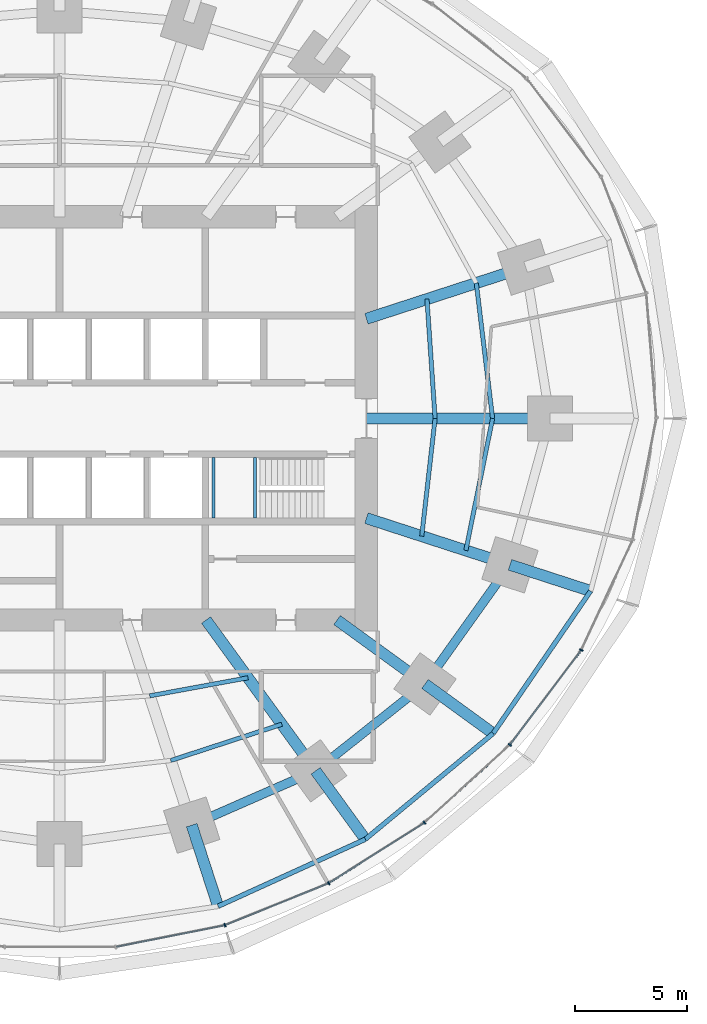
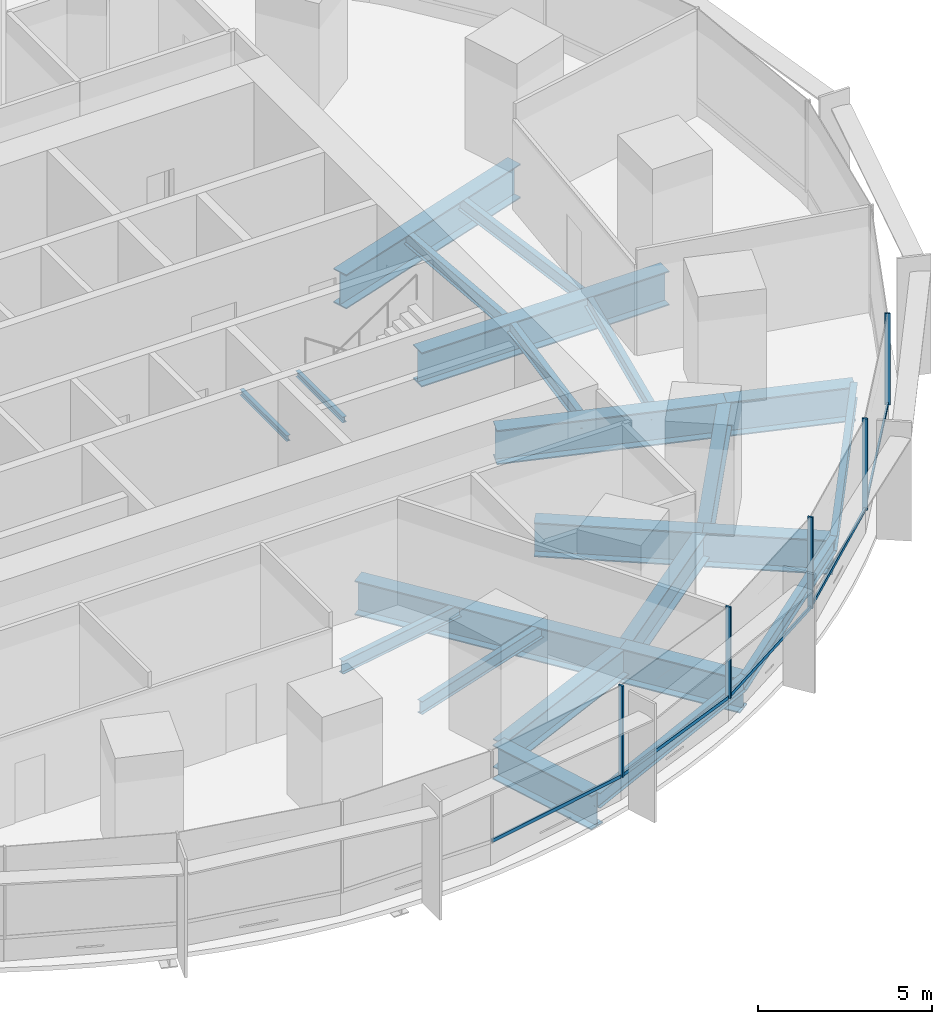
# One storey, part 5 of 15: 23 beams, 10 members, 2 elements without a shape of their own.
"""IFC4 building model written with IfcOpenShell, lengths in metres."""

from ifc_helpers import new_model, si_unit, direction, frame, origin, origin_2d, place, context, subcontext, project, spatial, rectangle, i_section, extrude, material, material_profile, profile_set, type_object, element, aggregate, save


model = new_model("IFC4")

# Units and contexts
model_context = context("Model", 3, precision=1e-05, world=origin(), true_north=direction((0.0, 1.0)))
body_context = subcontext(model_context, "Body", "Model", "MODEL_VIEW")
ifc_project = project(units=[si_unit("LENGTHUNIT", "METRE"), si_unit("AREAUNIT", "SQUARE_METRE"), si_unit("VOLUMEUNIT", "CUBIC_METRE"), si_unit("PLANEANGLEUNIT", "RADIAN"), si_unit("MASSUNIT", "GRAM", prefix="KILO")], contexts=[model_context])

# Site, building, storey
site_placement = place(None, origin())
site = spatial("IfcSite", under=ifc_project, at=site_placement, CompositionType="ELEMENT")
building_placement = place(site_placement, origin())
building = spatial("IfcBuilding", under=site, at=building_placement, Name="Marramba Exchange Tower", CompositionType="ELEMENT")
storey_placement = place(building_placement, frame((0.0, 0.0, 82.60009765625)))
storey = spatial("IfcBuildingStorey", under=building, at=storey_placement, Name="L19", CompositionType="ELEMENT", Elevation=82.60009765625)

# Beams
ifc_material_1 = material(Name="Steel AS/NZS 3679.2 grade 300", Category="steel")
ifc_material_profile_1 = material_profile(ifc_material_1, i_section(OverallWidth=0.5, OverallDepth=1.199951171875, WebThickness=0.01611328125, FlangeThickness=0.0400390625, at=origin_2d()), Name="1200WB455")
ifc_profile_set_1 = profile_set([ifc_material_profile_1], Name="Steel AS/NZS 3679.2 grade 300")
beam_type_1 = type_object("IfcBeamType", Name="Cantilever girder 1200WB455", PredefinedType="BEAM", material=ifc_profile_set_1)
beam_1_placement = place(storey_placement, frame((5.899658203125, -18.156982421875, -0.760009765625), z_axis=(0.309009272901, -0.951059025119, 0.0), x_axis=(0.951059025119, 0.309009272901, 0.0)))
element("IfcBeam", 1, at=beam_1_placement, inside=storey, type_object=beam_type_1, Name="Cantilever girder L19 TC17", PredefinedType="BEAM", context=body_context, shape_type="SweptSolid", body=[
    extrude(i_section(OverallWidth=0.5, OverallDepth=1.199951171875, WebThickness=0.01611328125, FlangeThickness=0.0400390625, at=origin_2d()), origin(), (0.0, 0.0, 1.0), 3.809814453125),
])
beam_2_placement = place(storey_placement, frame((11.430419921875, -15.732666015625, -0.760009765625), z_axis=(0.587787232741, -0.809015555491, 0.0), x_axis=(0.809015555491, 0.587787232741, 0.0)))
element("IfcBeam", 2, at=beam_2_placement, inside=storey, type_object=beam_type_1, Name="Cantilever girder L19 TC18", PredefinedType="BEAM", context=body_context, shape_type="SweptSolid", body=[
    extrude(i_section(OverallWidth=0.5, OverallDepth=1.199951171875, WebThickness=0.01611328125, FlangeThickness=0.0400390625, at=origin_2d()), origin(), (0.0, 0.0, 1.0), 3.7763671875),
])
beam_3_placement = place(storey_placement, frame((16.3154296875, -11.853759765625, -0.760009765625), z_axis=(0.809008346081, -0.587797155463, 0.0), x_axis=(0.587797155463, 0.809008346081, 0.0)))
element("IfcBeam", 3, at=beam_3_placement, inside=storey, type_object=beam_type_1, Name="Cantilever girder L19 TC19", PredefinedType="BEAM", context=body_context, shape_type="SweptSolid", body=[
    extrude(i_section(OverallWidth=0.5, OverallDepth=1.199951171875, WebThickness=0.01611328125, FlangeThickness=0.0400390625, at=origin_2d()), origin(), (0.0, 0.0, 1.0), 3.76025390625),
])
beam_4_placement = place(storey_placement, frame((20.109375, -6.533935546875, -0.760009765625), z_axis=(0.951048759501, -0.309040866314, 0.0), x_axis=(0.309040866314, 0.951048759501, 0.0)))
element("IfcBeam", 4, at=beam_4_placement, inside=storey, type_object=beam_type_1, Name="Cantilever girder L19 TC20", PredefinedType="BEAM", context=body_context, shape_type="SweptSolid", body=[
    extrude(i_section(OverallWidth=0.5, OverallDepth=1.199951171875, WebThickness=0.01611328125, FlangeThickness=0.0400390625, at=origin_2d()), origin(), (0.0, 0.0, 1.0), 3.78564453125),
])
ifc_material_2 = material(Name="Steel AS/NZS 3679.1 grade 300", Category="steel")
ifc_material_profile_2 = material_profile(ifc_material_2, i_section(OverallWidth=0.18994140625, OverallDepth=0.4541015625, WebThickness=0.008544921875, FlangeThickness=0.0126953125, FilletRadius=0.011474609375, at=origin_2d()), Name="460UB67.1")
ifc_profile_set_2 = profile_set([ifc_material_profile_2], Name="Steel AS/NZS 3679.1 grade 300")
beam_type_2 = type_object("IfcBeamType", Name="Floor joist 460UB67.1", PredefinedType="JOIST", material=ifc_profile_set_2)
beam_5_placement = place(storey_placement, frame((16.7666015625, 0.0, -0.38720703125), z_axis=(-0.068096259546, 0.99767875563, 0.0), x_axis=(-0.99767875563, -0.068096259546, 0.0)))
element("IfcBeam", 5, at=beam_5_placement, inside=storey, type_object=beam_type_2, Name="Joist L19 bay 01 row 1", PredefinedType="JOIST", context=body_context, shape_type="SweptSolid", body=[
    extrude(i_section(OverallWidth=0.18994140625, OverallDepth=0.4541015625, WebThickness=0.008544921875, FlangeThickness=0.0126953125, FilletRadius=0.011474609375, at=origin_2d()), origin(), (0.0, 0.0, 1.0), 5.342041015625),
])
beam_6_placement = place(storey_placement, frame((19.333251953125, 0.0, -0.38720703125), z_axis=(-0.119523078538, 0.992831422597, 0.0), x_axis=(-0.992831422597, -0.119523078538, 0.0)))
element("IfcBeam", 6, at=beam_6_placement, inside=storey, type_object=beam_type_2, Name="Joist L19 bay 01 row 2", PredefinedType="JOIST", context=body_context, shape_type="SweptSolid", body=[
    extrude(i_section(OverallWidth=0.18994140625, OverallDepth=0.4541015625, WebThickness=0.008544921875, FlangeThickness=0.0126953125, FilletRadius=0.011474609375, at=origin_2d()), origin(), (0.0, 0.0, 1.0), 6.089111328125),
])
beam_7_placement = place(storey_placement, frame((4.0244140625, -12.3857421875, -0.38720703125), z_axis=(0.983455754421, 0.181148500119, 0.0), x_axis=(-0.181148500119, 0.983455754421, 0.0)))
element("IfcBeam", 7, at=beam_7_placement, inside=storey, type_object=beam_type_2, Name="Joist L19 bay 17 row 1", PredefinedType="JOIST", context=body_context, shape_type="SweptSolid", body=[
    extrude(i_section(OverallWidth=0.18994140625, OverallDepth=0.4541015625, WebThickness=0.008544921875, FlangeThickness=0.0126953125, FilletRadius=0.011474609375, at=origin_2d()), origin(), (0.0, 0.0, 1.0), 4.4609375),
])
beam_8_placement = place(storey_placement, frame((4.9619140625, -15.271484375, -0.38720703125), z_axis=(0.950764024931, 0.309915744834, 0.0), x_axis=(-0.309915744834, 0.950764024931, 0.0)))
element("IfcBeam", 8, at=beam_8_placement, inside=storey, type_object=beam_type_2, Name="Joist L19 bay 17 row 2", PredefinedType="JOIST", context=body_context, shape_type="SweptSolid", body=[
    extrude(i_section(OverallWidth=0.18994140625, OverallDepth=0.4541015625, WebThickness=0.008544921875, FlangeThickness=0.0126953125, FilletRadius=0.011474609375, at=origin_2d()), origin(), (0.0, 0.0, 1.0), 5.2158203125),
])
beam_9_placement = place(storey_placement, frame((16.169677734375, -5.25390625, -0.38720703125), z_axis=(0.112888968594, 0.993607609054, 0.0), x_axis=(-0.993607609054, 0.112888968594, 0.0)))
element("IfcBeam", 9, at=beam_9_placement, inside=storey, type_object=beam_type_2, Name="Joist L19 bay 20 row 1", PredefinedType="JOIST", context=body_context, shape_type="SweptSolid", body=[
    extrude(i_section(OverallWidth=0.18994140625, OverallDepth=0.4541015625, WebThickness=0.008544921875, FlangeThickness=0.0126953125, FilletRadius=0.011474609375, at=origin_2d()), origin(), (0.0, 0.0, 1.0), 5.28759765625),
])
beam_10_placement = place(storey_placement, frame((18.1396484375, -5.893798828125, -0.38720703125), z_axis=(0.198489047047, 0.980103105904, 0.0), x_axis=(-0.980103105904, 0.198489047047, 0.0)))
element("IfcBeam", 10, at=beam_10_placement, inside=storey, type_object=beam_type_2, Name="Joist L19 bay 20 row 2", PredefinedType="JOIST", context=body_context, shape_type="SweptSolid", body=[
    extrude(i_section(OverallWidth=0.18994140625, OverallDepth=0.4541015625, WebThickness=0.008544921875, FlangeThickness=0.0126953125, FilletRadius=0.011474609375, at=origin_2d()), origin(), (0.0, 0.0, 1.0), 6.013427734375),
])
ifc_material_profile_3 = material_profile(ifc_material_1, i_section(OverallWidth=0.5, OverallDepth=1.199951171875, WebThickness=0.01611328125, FlangeThickness=0.0400390625, at=origin_2d()), Name="1200WB455")
ifc_profile_set_3 = profile_set([ifc_material_profile_3], Name="Steel AS/NZS 3679.2 grade 300")
beam_type_3 = type_object("IfcBeamType", Name="Radial girder 1200WB455", PredefinedType="BEAM", material=ifc_profile_set_3)
beam_11_placement = place(storey_placement, frame((13.699951171875, 0.0, -0.760009765625), z_axis=(1.0, 0.0, 0.0), x_axis=(0.0, 1.0, 0.0)))
element("IfcBeam", 11, at=beam_11_placement, inside=storey, type_object=beam_type_3, Name="Radial girder L19 TC01", PredefinedType="BEAM", context=body_context, shape_type="SweptSolid", body=[
    extrude(i_section(OverallWidth=0.5, OverallDepth=1.199951171875, WebThickness=0.01611328125, FlangeThickness=0.0400390625, at=origin_2d()), origin(), (0.0, 0.0, 1.0), 8.199951171875),
])
beam_12_placement = place(storey_placement, frame((13.699951171875, 4.451416015625, -0.760009765625), z_axis=(0.951059990189, 0.309006302624, 0.0), x_axis=(-0.309006302624, 0.951059990189, 0.0)))
element("IfcBeam", 12, at=beam_12_placement, inside=storey, type_object=beam_type_3, Name="Radial girder L19 TC02", PredefinedType="BEAM", context=body_context, shape_type="SweptSolid", body=[
    extrude(i_section(OverallWidth=0.5, OverallDepth=1.199951171875, WebThickness=0.01611328125, FlangeThickness=0.0400390625, at=origin_2d()), origin(), (0.0, 0.0, 1.0), 7.47412109375),
])
beam_13_placement = place(storey_placement, frame((6.538818359375, -9.0, -0.760009765625), z_axis=(0.587787877172, -0.809015087282, 0.0), x_axis=(0.809015087282, 0.587787877172, 0.0)))
element("IfcBeam", 13, at=beam_13_placement, inside=storey, type_object=beam_type_3, Name="Radial girder L19 TC18", PredefinedType="BEAM", context=body_context, shape_type="SweptSolid", body=[
    extrude(i_section(OverallWidth=0.5, OverallDepth=1.199951171875, WebThickness=0.01611328125, FlangeThickness=0.0400390625, at=origin_2d()), origin(), (0.0, 0.0, 1.0), 8.322021484375),
])
beam_14_placement = place(storey_placement, frame((12.387451171875, -9.0, -0.760009765625), z_axis=(0.809025189606, -0.58777397236, 0.0), x_axis=(0.58777397236, 0.809025189606, 0.0)))
element("IfcBeam", 14, at=beam_14_placement, inside=storey, type_object=beam_type_3, Name="Radial girder L19 TC19", PredefinedType="BEAM", context=body_context, shape_type="SweptSolid", body=[
    extrude(i_section(OverallWidth=0.5, OverallDepth=1.199951171875, WebThickness=0.01611328125, FlangeThickness=0.0400390625, at=origin_2d()), origin(), (0.0, 0.0, 1.0), 4.855224609375),
])
beam_15_placement = place(storey_placement, frame((13.699951171875, -4.451416015625, -0.760009765625), z_axis=(0.951057759669, -0.309013167637, 0.0), x_axis=(0.309013167637, 0.951057759669, 0.0)))
element("IfcBeam", 15, at=beam_15_placement, inside=storey, type_object=beam_type_3, Name="Radial girder L19 TC20", PredefinedType="BEAM", context=body_context, shape_type="SweptSolid", body=[
    extrude(i_section(OverallWidth=0.5, OverallDepth=1.199951171875, WebThickness=0.01611328125, FlangeThickness=0.0400390625, at=origin_2d()), origin(), (0.0, 0.0, 1.0), 6.7392578125),
])
ifc_material_profile_4 = material_profile(ifc_material_1, i_section(OverallWidth=0.39990234375, OverallDepth=1.0, WebThickness=0.01611328125, FlangeThickness=0.031982421875, at=origin_2d()), Name="1000WB322")
ifc_profile_set_4 = profile_set([ifc_material_profile_4], Name="Steel AS/NZS 3679.2 grade 300")
beam_type_4 = type_object("IfcBeamType", Name="Ring beam 1000WB322", PredefinedType="SPANDREL", material=ifc_profile_set_4)
beam_16_placement = place(storey_placement, frame((5.899658203125, -18.156982421875, -0.66015625), z_axis=(0.915876892158, 0.4014592363, 0.0), x_axis=(-0.4014592363, 0.915876892158, 0.0)))
element("IfcBeam", 16, at=beam_16_placement, inside=storey, type_object=beam_type_4, Name="Ring beam L19 TC17-TC18", PredefinedType="SPANDREL", context=body_context, shape_type="SweptSolid", body=[
    extrude(i_section(OverallWidth=0.39990234375, OverallDepth=1.0, WebThickness=0.01611328125, FlangeThickness=0.031982421875, at=origin_2d()), origin(), (0.0, 0.0, 1.0), 6.038818359375),
])
beam_17_placement = place(storey_placement, frame((11.430419921875, -15.732666015625, -0.66015625), z_axis=(0.783139438128, 0.621846138887, 0.0), x_axis=(-0.621846138887, 0.783139438128, 0.0)))
element("IfcBeam", 17, at=beam_17_placement, inside=storey, type_object=beam_type_4, Name="Ring beam L19 TC18-TC19", PredefinedType="SPANDREL", context=body_context, shape_type="SweptSolid", body=[
    extrude(i_section(OverallWidth=0.39990234375, OverallDepth=1.0, WebThickness=0.01611328125, FlangeThickness=0.031982421875, at=origin_2d()), origin(), (0.0, 0.0, 1.0), 6.23779296875),
])
beam_18_placement = place(storey_placement, frame((16.3154296875, -11.853759765625, -0.66015625), z_axis=(0.580637181111, 0.814162430914, 0.0), x_axis=(-0.814162430914, 0.580637181111, 0.0)))
element("IfcBeam", 18, at=beam_18_placement, inside=storey, type_object=beam_type_4, Name="Ring beam L19 TC19-TC20", PredefinedType="SPANDREL", context=body_context, shape_type="SweptSolid", body=[
    extrude(i_section(OverallWidth=0.39990234375, OverallDepth=1.0, WebThickness=0.01611328125, FlangeThickness=0.031982421875, at=origin_2d()), origin(), (0.0, 0.0, 1.0), 6.5341796875),
])
ifc_material_profile_5 = material_profile(ifc_material_2, i_section(OverallWidth=0.208984375, OverallDepth=0.528076171875, WebThickness=0.009521484375, FlangeThickness=0.01318359375, FilletRadius=0.013916015625, at=origin_2d()), Name="530UB82.0")
ifc_profile_set_5 = profile_set([ifc_material_profile_5], Name="Steel AS/NZS 3679.1 grade 300")
beam_type_5 = type_object("IfcBeamType", Name="Slab edge beam 530UB82.0", PredefinedType="SPANDREL", material=ifc_profile_set_5)
beam_19_placement = place(storey_placement, frame((7.076904296875, -21.7802734375, -0.424072265625), z_axis=(0.910126690081, 0.414330071324, 0.0), x_axis=(-0.414330071324, 0.910126690081, 0.0)))
element("IfcBeam", 19, at=beam_19_placement, inside=storey, type_object=beam_type_5, Name="Slab edge beam L19 TC17-TC18", PredefinedType="SPANDREL", context=body_context, shape_type="SweptSolid", body=[
    extrude(i_section(OverallWidth=0.208984375, OverallDepth=0.528076171875, WebThickness=0.009521484375, FlangeThickness=0.01318359375, FilletRadius=0.013916015625, at=origin_2d()), origin(), (0.0, 0.0, 1.0), 7.222412109375),
])
beam_20_placement = place(storey_placement, frame((13.650146484375, -18.787841796875, -0.424072265625), z_axis=(0.770353575372, 0.637616945283, 0.0), x_axis=(-0.637616945283, 0.770353575372, 0.0)))
element("IfcBeam", 20, at=beam_20_placement, inside=storey, type_object=beam_type_5, Name="Slab edge beam L19 TC18-TC19", PredefinedType="SPANDREL", context=body_context, shape_type="SweptSolid", body=[
    extrude(i_section(OverallWidth=0.208984375, OverallDepth=0.528076171875, WebThickness=0.009521484375, FlangeThickness=0.01318359375, FilletRadius=0.013916015625, at=origin_2d()), origin(), (0.0, 0.0, 1.0), 7.40869140625),
])
beam_21_placement = place(storey_placement, frame((19.357421875, -14.06396484375, -0.424072265625), z_axis=(0.564740697285, 0.82526840775, 0.0), x_axis=(-0.82526840775, 0.564740697285, 0.0)))
element("IfcBeam", 21, at=beam_21_placement, inside=storey, type_object=beam_type_5, Name="Slab edge beam L19 TC19-TC20", PredefinedType="SPANDREL", context=body_context, shape_type="SweptSolid", body=[
    extrude(i_section(OverallWidth=0.208984375, OverallDepth=0.528076171875, WebThickness=0.009521484375, FlangeThickness=0.01318359375, FilletRadius=0.013916015625, at=origin_2d()), origin(), (0.0, 0.0, 1.0), 7.706787109375),
])
ifc_material_profile_6 = material_profile(ifc_material_2, i_section(OverallWidth=0.133056640625, OverallDepth=0.202880859375, WebThickness=0.005859375, FlangeThickness=0.0078125, FilletRadius=0.0087890625, at=origin_2d()), Name="200UB25.4")
ifc_profile_set_6 = profile_set([ifc_material_profile_6], Name="Steel AS/NZS 3679.1 grade 300")
beam_type_6 = type_object("IfcBeamType", Name="Stair landing beam 200UB25.4", PredefinedType="BEAM", material=ifc_profile_set_6)
for number, where, z_axis, x_axis, name in (
    (22, (6.866455078125, -4.449951171875, 1.79833984375), (0.0, 1.0, 0.0), (-1.0, 0.0, 0.0), "Stair landing beam SLB1 ST2 L19 1"),
    (23, (8.723388671875, -4.449951171875, 1.79833984375), (0.0, 1.0, 0.0), (-1.0, 0.0, 0.0), "Stair landing beam SLB1 ST2 L19 2"),
):
    element("IfcBeam", number, at=place(storey_placement, frame(where, z_axis=z_axis, x_axis=x_axis)), inside=storey, type_object=beam_type_6, Name=name, PredefinedType="BEAM", context=body_context, shape_type="SweptSolid", body=[
        extrude(i_section(OverallWidth=0.133056640625, OverallDepth=0.202880859375, WebThickness=0.005859375, FlangeThickness=0.0078125, FilletRadius=0.0087890625, at=origin_2d()), origin(), (0.0, 0.0, 1.0), 2.699951171875),
    ])

# Curtain wall, member
ifc_material_3 = material(Name="Aluminium framing, bronze anodised", Category="aluminium")
curtain_wall_type = type_object("IfcCurtainWallType", Name="Trading floor ribbon curtain wall", PredefinedType="USERDEFINED", material=ifc_material_3)
curtain_wall_1_placement = place(storey_placement, origin())
curtain_wall_1 = element("IfcCurtainWall", 24, at=curtain_wall_1_placement, inside=storey, type_object=curtain_wall_type, Name="Curtain wall CW3 L19 F21-F25", ObjectType="RIBBON CURTAIN WALL", PredefinedType="USERDEFINED")
ifc_material_4 = material(Name="Aluminium mullion, bronze anodised", Category="aluminium")
ifc_material_profile_7 = material_profile(ifc_material_4, rectangle(XDim=0.159912109375, YDim=0.06005859375, at=origin_2d()), Name="CW3 mullion 60x160")
ifc_profile_set_7 = profile_set([ifc_material_profile_7], Name="Aluminium mullion, bronze anodised")
member_type_1 = type_object("IfcMemberType", Name="Trading floor ribbon curtain wall mullion", PredefinedType="MULLION", material=ifc_profile_set_7)
member_1_placement = place(storey_placement, frame((7.3828125, -22.625, 0.7998046875), z_axis=(0.0, 0.0, 1.0), x_axis=(-0.374218219325, 0.927340673283, 0.0)))
member_1 = element("IfcMember", 25, at=member_1_placement, type_object=member_type_1, Name="CW3 mullion 1", PredefinedType="MULLION", context=body_context, shape_type="SweptSolid", body=[
    extrude(rectangle(XDim=0.159912109375, YDim=0.06005859375, at=origin_2d()), origin(), (0.0, 0.0, 1.0), 3.2001953125),
])

# Curtain wall, members
curtain_wall_2_placement = place(storey_placement, origin())
curtain_wall_2 = element("IfcCurtainWall", 26, at=curtain_wall_2_placement, inside=storey, type_object=curtain_wall_type, Name="Curtain wall CW3 L19 F26-F30", ObjectType="RIBBON CURTAIN WALL", PredefinedType="USERDEFINED")
member_2_placement = place(storey_placement, frame((12.0146484375, -20.75, 0.7998046875), z_axis=(0.0, 0.0, 1.0), x_axis=(-0.533514646612, 0.845790826298, 0.0)))
member_2 = element("IfcMember", 27, at=member_2_placement, type_object=member_type_1, Name="CW3 mullion 1", PredefinedType="MULLION", context=body_context, shape_type="SweptSolid", body=[
    extrude(rectangle(XDim=0.159912109375, YDim=0.06005859375, at=origin_2d()), origin(), (0.0, 0.0, 1.0), 3.2001953125),
])
member_3_placement = place(storey_placement, frame((16.2900390625, -18.047119140625, 0.7998046875), z_axis=(0.0, 0.0, 1.0), x_axis=(-0.673058133441, 0.739589581463, 0.0)))
member_3 = element("IfcMember", 28, at=member_3_placement, type_object=member_type_1, Name="CW3 mullion 1", PredefinedType="MULLION", context=body_context, shape_type="SweptSolid", body=[
    extrude(rectangle(XDim=0.159912109375, YDim=0.06005859375, at=origin_2d()), origin(), (0.0, 0.0, 1.0), 3.2001953125),
])
member_4_placement = place(storey_placement, frame((20.103515625, -14.569091796875, 0.7998046875), z_axis=(0.0, 0.0, 1.0), x_axis=(-0.797710591138, 0.603040473588, 0.0)))
member_4 = element("IfcMember", 29, at=member_4_placement, type_object=member_type_1, Name="CW3 mullion 1", PredefinedType="MULLION", context=body_context, shape_type="SweptSolid", body=[
    extrude(rectangle(XDim=0.159912109375, YDim=0.06005859375, at=origin_2d()), origin(), (0.0, 0.0, 1.0), 3.2001953125),
])
member_5_placement = place(storey_placement, frame((23.2939453125, -10.33837890625, 0.7998046875), z_axis=(0.0, 0.0, 1.0), x_axis=(-0.905906758768, 0.423477206492, 0.0)))
member_5 = element("IfcMember", 30, at=member_5_placement, type_object=member_type_1, Name="CW3 mullion 1", PredefinedType="MULLION", context=body_context, shape_type="SweptSolid", body=[
    extrude(rectangle(XDim=0.159912109375, YDim=0.06005859375, at=origin_2d()), origin(), (0.0, 0.0, 1.0), 3.2001953125),
])

# Member
ifc_material_5 = material(Name="Aluminium transom, bronze anodised", Category="aluminium")
ifc_material_profile_8 = material_profile(ifc_material_5, rectangle(XDim=0.06005859375, YDim=0.1201171875, at=origin_2d()), Name="CW3 transom 60x120")
ifc_profile_set_8 = profile_set([ifc_material_profile_8], Name="Aluminium transom, bronze anodised")
member_type_2 = type_object("IfcMemberType", Name="Trading floor ribbon curtain wall transom", PredefinedType="USERDEFINED", material=ifc_profile_set_8)
member_6_placement = place(storey_placement, frame((2.539306640625, -23.58837890625, 0.829833984375), z_axis=(0.981008707181, 0.193963698758, 0.0), x_axis=(-0.193963698758, 0.981008707181, 0.0)))
member_6 = element("IfcMember", 31, at=member_6_placement, type_object=member_type_2, Name="CW3 sill transom", ObjectType="TRANSOM", PredefinedType="USERDEFINED", context=body_context, shape_type="SweptSolid", body=[
    extrude(rectangle(XDim=0.06005859375, YDim=0.1201171875, at=origin_2d()), origin(), (0.0, 0.0, 1.0), 4.908935546875),
])

member_7_placement = place(storey_placement, frame((7.41064453125, -22.61376953125, 0.829833984375), z_axis=(0.927340197166, 0.374219399176, 0.0), x_axis=(-0.374219399176, 0.927340197166, 0.0)))
member_7 = element("IfcMember", 32, at=member_7_placement, type_object=member_type_2, Name="CW3 sill transom", ObjectType="TRANSOM", PredefinedType="USERDEFINED", context=body_context, shape_type="SweptSolid", body=[
    extrude(rectangle(XDim=0.06005859375, YDim=0.1201171875, at=origin_2d()), origin(), (0.0, 0.0, 1.0), 4.937255859375),
])

aggregate(curtain_wall_1, [member_6, member_1, member_7])

member_8_placement = place(storey_placement, frame((12.0400390625, -20.734130859375, 0.829833984375), z_axis=(0.845776602594, 0.533537195053, 0.0), x_axis=(-0.533537195053, 0.845776602594, 0.0)))
member_8 = element("IfcMember", 33, at=member_8_placement, type_object=member_type_2, Name="CW3 sill transom", ObjectType="TRANSOM", PredefinedType="USERDEFINED", context=body_context, shape_type="SweptSolid", body=[
    extrude(rectangle(XDim=0.06005859375, YDim=0.1201171875, at=origin_2d()), origin(), (0.0, 0.0, 1.0), 4.998779296875),
])

member_9_placement = place(storey_placement, frame((16.312255859375, -18.02685546875, 0.829833984375), z_axis=(0.739582688456, 0.673065707741, 0.0), x_axis=(-0.673065707741, 0.739582688456, 0.0)))
member_9 = element("IfcMember", 34, at=member_9_placement, type_object=member_type_2, Name="CW3 sill transom", ObjectType="TRANSOM", PredefinedType="USERDEFINED", context=body_context, shape_type="SweptSolid", body=[
    extrude(rectangle(XDim=0.06005859375, YDim=0.1201171875, at=origin_2d()), origin(), (0.0, 0.0, 1.0), 5.101806640625),
])

member_10_placement = place(storey_placement, frame((20.12158203125, -14.545166015625, 0.829833984375), z_axis=(0.603037409419, 0.797712907531, 0.0), x_axis=(-0.797712907531, 0.603037409419, 0.0)))
member_10 = element("IfcMember", 35, at=member_10_placement, type_object=member_type_2, Name="CW3 sill transom", ObjectType="TRANSOM", PredefinedType="USERDEFINED", context=body_context, shape_type="SweptSolid", body=[
    extrude(rectangle(XDim=0.06005859375, YDim=0.1201171875, at=origin_2d()), origin(), (0.0, 0.0, 1.0), 5.239501953125),
])

aggregate(curtain_wall_2, [member_2, member_8, member_3, member_9, member_4, member_10, member_5])

save(model, "model.ifc")
